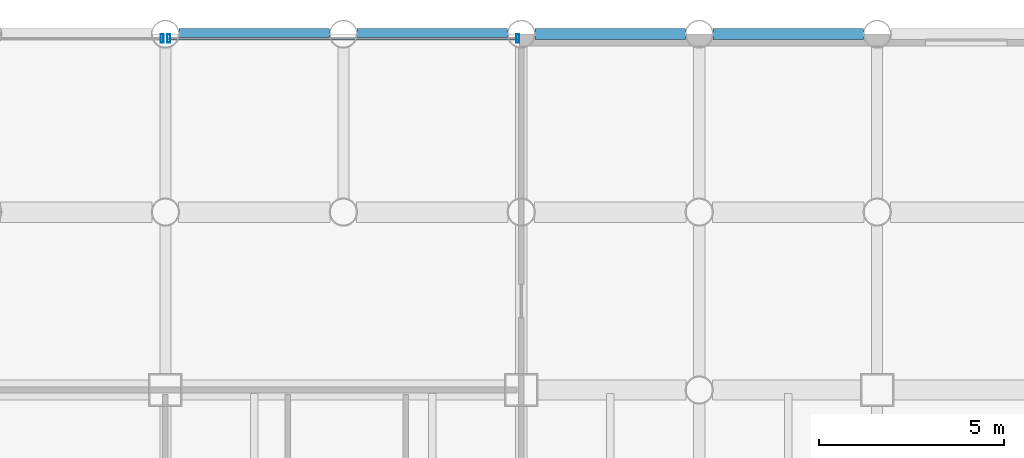
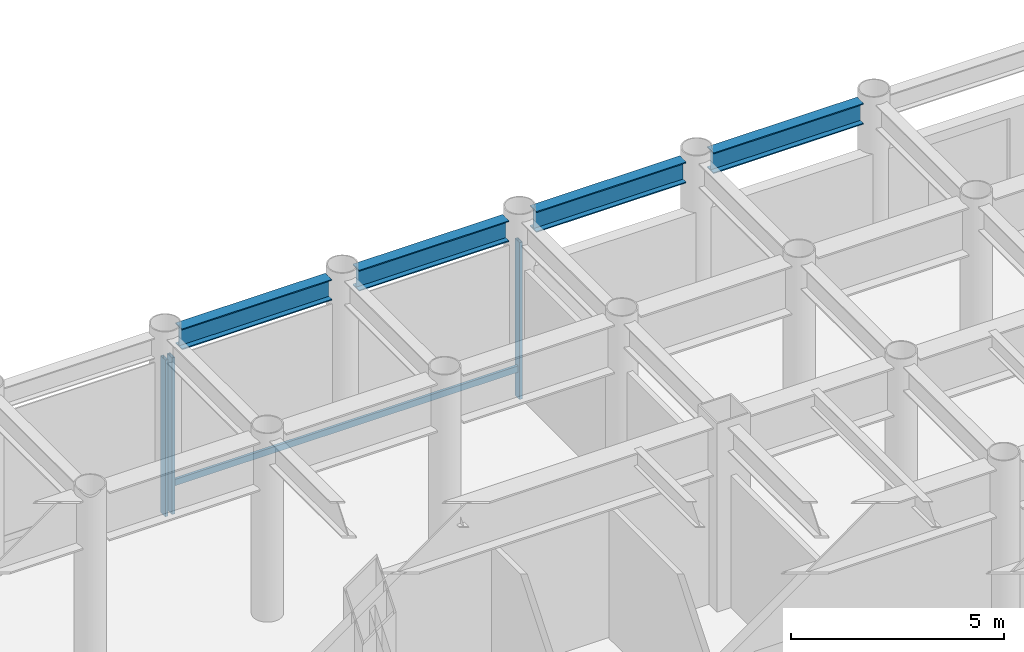
# One storey, part 10 of 17: 4 beams, 4 members, 2 elements without a shape of their own.
"""IFC4 building model written with IfcOpenShell, lengths in metres."""

from ifc_helpers import new_model, si_unit, direction, frame, origin, origin_2d, place, context, subcontext, project, spatial, hollow_rectangle, i_section, extrude, material, layer, layer_set, material_profile, profile_set, type_object, element, aggregate, save


model = new_model("IFC4")

# Units and contexts
model_context = context("Model", 3, precision=1e-05, world=origin(), true_north=direction((0.0, 1.0)))
body_context = subcontext(model_context, "Body", "Model", "MODEL_VIEW")
ifc_project = project(units=[si_unit("LENGTHUNIT", "METRE"), si_unit("AREAUNIT", "SQUARE_METRE"), si_unit("VOLUMEUNIT", "CUBIC_METRE"), si_unit("PLANEANGLEUNIT", "RADIAN"), si_unit("MASSUNIT", "GRAM", prefix="KILO")], contexts=[model_context])

# Site, building, storey
site_placement = place(None, origin())
site = spatial("IfcSite", under=ifc_project, at=site_placement, CompositionType="ELEMENT")
building_placement = place(site_placement, origin())
building = spatial("IfcBuilding", under=site, at=building_placement, Name="Kallvorn Hotel Tower", CompositionType="ELEMENT")
storey_placement = place(building_placement, frame((0.0, 0.0, 19.199951171875)))
storey = spatial("IfcBuildingStorey", under=building, at=storey_placement, Name="L03", CompositionType="ELEMENT", Elevation=19.199951171875)

# Beams
ifc_material_1 = material(Name="Structural steel S355JR", Category="steel")
ifc_material_profile_1 = material_profile(ifc_material_1, i_section(OverallWidth=0.300048828125, OverallDepth=0.60009765625, WebThickness=0.015380859375, FlangeThickness=0.030029296875, at=origin_2d()), Name="HE 600 B")
ifc_profile_set_1 = profile_set([ifc_material_profile_1], Name="Structural steel S355JR")
beam_type = type_object("IfcBeamType", Name="BM_HE600B", PredefinedType="SPANDREL", material=ifc_profile_set_1)
for number, where, z_axis, x_axis, name in (
    (1, (5.1708984375, 24.0, 4.880126953125), (1.0, 0.0, 0.0), (0.0, 1.0, 0.0), "L04 Perimeter Spandrel 191"),
    (2, (9.970947265625, 24.0, 4.880126953125), (1.0, 0.0, 0.0), (0.0, 1.0, 0.0), "L04 Perimeter Spandrel 192"),
    (3, (14.77099609375, 24.0, 4.880126953125), (1.0, 0.0, 0.0), (0.0, 1.0, 0.0), "L04 Perimeter Spandrel 193"),
):
    element("IfcBeam", number, at=place(storey_placement, frame(where, z_axis=z_axis, x_axis=x_axis)), inside=storey, type_object=beam_type, Name=name, PredefinedType="SPANDREL", context=body_context, shape_type="SweptSolid", body=[
        extrude(i_section(OverallWidth=0.300048828125, OverallDepth=0.60009765625, WebThickness=0.015380859375, FlangeThickness=0.030029296875, at=origin_2d()), origin(), (0.0, 0.0, 1.0), 4.05810546875),
    ])
beam_placement = place(storey_placement, frame((19.571044921875, 24.0, 4.880126953125), z_axis=(1.0, 0.0, 0.0), x_axis=(0.0, 1.0, 0.0)))
element("IfcBeam", 4, at=beam_placement, inside=storey, type_object=beam_type, Name="L04 Perimeter Spandrel 194", PredefinedType="SPANDREL", context=body_context, shape_type="SweptSolid", body=[
    extrude(i_section(OverallWidth=0.300048828125, OverallDepth=0.60009765625, WebThickness=0.015380859375, FlangeThickness=0.030029296875, at=origin_2d()), origin(), (0.0, 0.0, 1.0), 4.057861328125),
])

# Curtain wall, member
ifc_material_2 = material(Name="Thermally broken black-anodised aluminium AA 6063-T6", Category="aluminium")
ifc_layer = layer(ifc_material_2, 0.219970703125)
ifc_layer_set = layer_set([ifc_layer], Name="CW_SYS_2_PODIUM_CASC")
curtain_wall_type = type_object("IfcCurtainWallType", Name="CW_SYS_2_PODIUM_CASC", PredefinedType="USERDEFINED", material=ifc_layer_set)
curtain_wall_1_placement = place(storey_placement, origin())
curtain_wall_1 = element("IfcCurtainWall", 5, at=curtain_wall_1_placement, inside=storey, type_object=curtain_wall_type, Name="L03 Dark-Glass Curtain Wall CW-L03-N2", ObjectType="UNITISED CURTAIN WALL", PredefinedType="USERDEFINED")
ifc_material_3 = material(Name="Thermally broken black-anodised aluminium AA 6063-T6", Category="aluminium")
ifc_material_profile_2 = material_profile(ifc_material_3, hollow_rectangle(XDim=0.080078125, YDim=0.219970703125, WallThickness=0.0048828125, at=origin_2d()), Name="MUL 220x80")
ifc_profile_set_2 = profile_set([ifc_material_profile_2], Name="Thermally broken black-anodised aluminium AA 6063-T6")
member_type_1 = type_object("IfcMemberType", Name="CW_MULLION_220x80", PredefinedType="MULLION", material=ifc_profile_set_2)
member_1_placement = place(storey_placement, frame((4.7099609375, 23.8798828125, 0.02001953125), z_axis=(0.0, 0.0, 1.0), x_axis=(1.0, 0.0, 0.0)))
member_1 = element("IfcMember", 6, at=member_1_placement, type_object=member_type_1, Name="CW-L03-N2 Mullion 01", PredefinedType="MULLION", context=body_context, shape_type="SweptSolid", body=[
    extrude(hollow_rectangle(XDim=0.080078125, YDim=0.219970703125, WallThickness=0.0048828125, at=origin_2d()), origin(), (0.0, 0.0, 1.0), 4.489990234375),
])
aggregate(curtain_wall_1, [member_1])

# Curtain wall, members
curtain_wall_2_placement = place(storey_placement, origin())
curtain_wall_2 = element("IfcCurtainWall", 7, at=curtain_wall_2_placement, inside=storey, type_object=curtain_wall_type, Name="L03 Dark-Glass Curtain Wall CW-L03-N3", ObjectType="UNITISED CURTAIN WALL", PredefinedType="USERDEFINED")
member_2_placement = place(storey_placement, frame((4.889892578125, 23.8798828125, 0.02001953125), z_axis=(0.0, 0.0, 1.0), x_axis=(1.0, 0.0, 0.0)))
member_2 = element("IfcMember", 8, at=member_2_placement, type_object=member_type_1, Name="CW-L03-N3 Mullion 00", PredefinedType="MULLION", context=body_context, shape_type="SweptSolid", body=[
    extrude(hollow_rectangle(XDim=0.080078125, YDim=0.219970703125, WallThickness=0.0048828125, at=origin_2d()), origin(), (0.0, 0.0, 1.0), 4.489990234375),
])
member_3_placement = place(storey_placement, frame((14.31005859375, 23.8798828125, 0.02001953125), z_axis=(0.0, 0.0, 1.0), x_axis=(1.0, 0.0, 0.0)))
member_3 = element("IfcMember", 9, at=member_3_placement, type_object=member_type_1, Name="CW-L03-N3 Mullion 01", PredefinedType="MULLION", context=body_context, shape_type="SweptSolid", body=[
    extrude(hollow_rectangle(XDim=0.080078125, YDim=0.219970703125, WallThickness=0.0048828125, at=origin_2d()), origin(), (0.0, 0.0, 1.0), 4.489990234375),
])
ifc_material_4 = material(Name="Thermally broken black-anodised aluminium AA 6063-T6", Category="aluminium")
ifc_material_profile_3 = material_profile(ifc_material_4, hollow_rectangle(XDim=0.070068359375, YDim=0.179931640625, WallThickness=0.00390625, at=origin_2d()), Name="TRN 180x70")
ifc_profile_set_3 = profile_set([ifc_material_profile_3], Name="Thermally broken black-anodised aluminium AA 6063-T6")
member_type_2 = type_object("IfcMemberType", Name="CW_TRANSOM_180x70", PredefinedType="USERDEFINED", material=ifc_profile_set_3)
member_4_placement = place(storey_placement, frame((4.889892578125, 23.8798828125, 0.85009765625), z_axis=(1.0, 0.0, 0.0), x_axis=(0.0, 1.0, 0.0)))
member_4 = element("IfcMember", 10, at=member_4_placement, type_object=member_type_2, Name="CW-L03-N3 Transom 00M", ObjectType="TRANSOM", PredefinedType="USERDEFINED", context=body_context, shape_type="SweptSolid", body=[
    extrude(hollow_rectangle(XDim=0.070068359375, YDim=0.179931640625, WallThickness=0.00390625, at=origin_2d()), origin(), (0.0, 0.0, 1.0), 9.420166015625),
])
aggregate(curtain_wall_2, [member_2, member_3, member_4])

save(model, "model.ifc")
